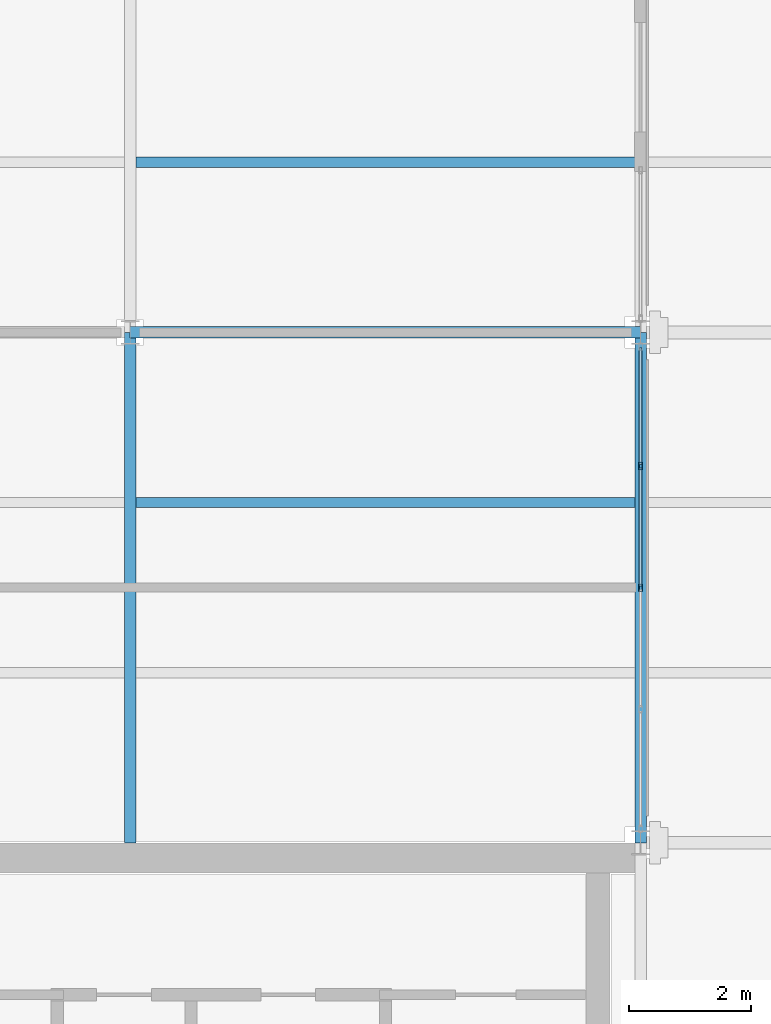
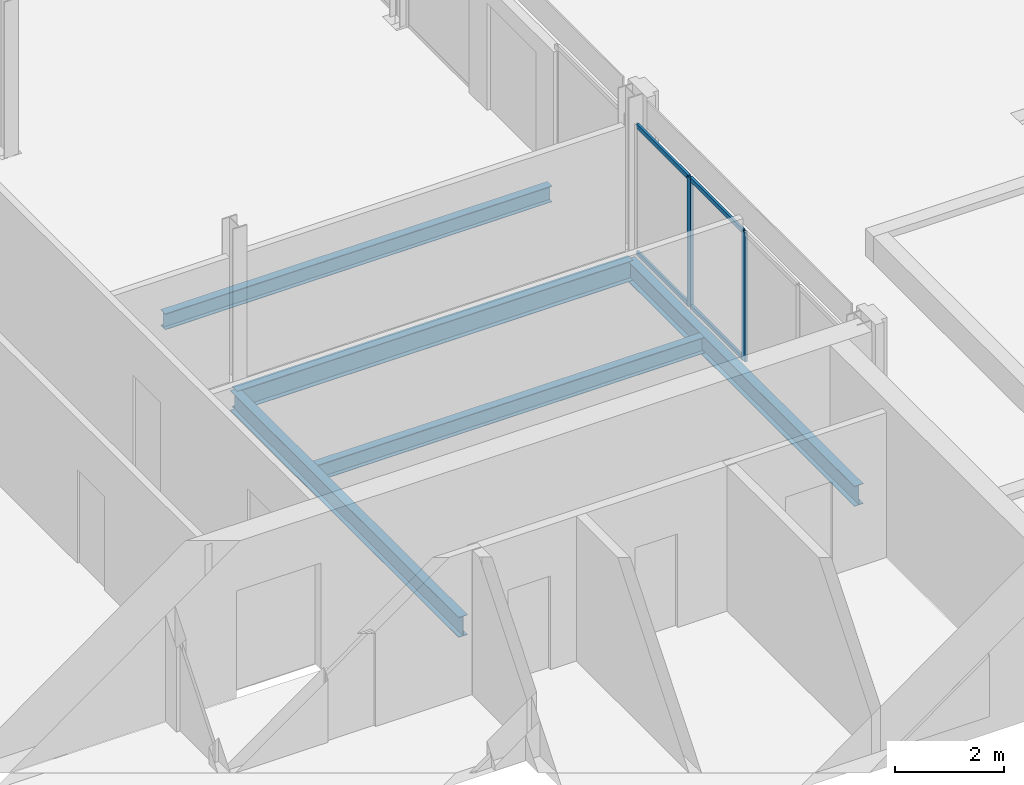
# One storey, part 9 of 32: 6 members, 5 beams, 1 element without a shape of its own.
"""IFC4 building model written with IfcOpenShell, lengths in metres."""

from ifc_helpers import new_model, si_unit, direction, frame, origin, origin_2d, place, context, subcontext, project, spatial, hollow_rectangle, i_section, extrude, material, material_profile, profile_set, type_object, element, aggregate, save


model = new_model("IFC4")

# Units and contexts
model_context = context("Model", 3, precision=1e-05, world=origin(), true_north=direction((0.0, 1.0)))
body_context = subcontext(model_context, "Body", "Model", "MODEL_VIEW")
ifc_project = project(units=[si_unit("LENGTHUNIT", "METRE"), si_unit("AREAUNIT", "SQUARE_METRE"), si_unit("VOLUMEUNIT", "CUBIC_METRE"), si_unit("PLANEANGLEUNIT", "RADIAN"), si_unit("MASSUNIT", "GRAM", prefix="KILO")], contexts=[model_context])

# Site, building, storey
site_placement = place(None, origin())
site = spatial("IfcSite", under=ifc_project, at=site_placement, CompositionType="ELEMENT")
building_placement = place(site_placement, origin())
building = spatial("IfcBuilding", under=site, at=building_placement, Name="Catenary Quay Ferry Terminal", CompositionType="ELEMENT")
storey_placement = place(building_placement, frame((0.0, 0.0, 17.10009765625)))
storey = spatial("IfcBuildingStorey", under=building, at=storey_placement, Name="L03", CompositionType="ELEMENT", Elevation=17.10009765625)

# Beams
ifc_material_1 = material(Name="Steel S355", Category="steel")
ifc_material_profile_1 = material_profile(ifc_material_1, i_section(OverallWidth=0.18994140625, OverallDepth=0.453369140625, WebThickness=0.008544921875, FlangeThickness=0.0126953125, at=origin_2d()), Name="UB 457x191x67")
ifc_profile_set_1 = profile_set([ifc_material_profile_1], Name="Steel S355")
beam_type_1 = type_object("IfcBeamType", Name="B1 UB 457x191x67", PredefinedType="BEAM", material=ifc_profile_set_1)
for number, where, z_axis, x_axis, name in (
    (1, (42.0, 176.39990234375, -0.47705078125), (1.0, 0.0, 0.0), (0.0, 1.0, 0.0), "Beam B1-003"),
    (2, (50.39990234375, 168.0, -0.47705078125), (0.0, 1.0, 0.0), (-1.0, 0.0, 0.0), "Beam B1-017"),
    (3, (42.0, 168.0, -0.47705078125), (0.0, 1.0, 0.0), (-1.0, 0.0, 0.0), "Beam B1-026"),
):
    element("IfcBeam", number, at=place(storey_placement, frame(where, z_axis=z_axis, x_axis=x_axis)), inside=storey, type_object=beam_type_1, Name=name, PredefinedType="BEAM", context=body_context, shape_type="SweptSolid", body=[
        extrude(i_section(OverallWidth=0.18994140625, OverallDepth=0.453369140625, WebThickness=0.008544921875, FlangeThickness=0.0126953125, at=origin_2d()), origin(), (0.0, 0.0, 1.0), 8.39990234375),
    ])
ifc_material_2 = material(Name="Steel S355", Category="steel")
ifc_material_profile_2 = material_profile(ifc_material_2, i_section(OverallWidth=0.169921875, OverallDepth=0.360107421875, WebThickness=0.008056640625, FlangeThickness=0.0126953125, at=origin_2d()), Name="IPE 360")
ifc_profile_set_2 = profile_set([ifc_material_profile_2], Name="Steel S355")
beam_type_2 = type_object("IfcBeamType", Name="B7 IPE 360", PredefinedType="BEAM", material=ifc_profile_set_2)
for number, where, z_axis, x_axis, name in (
    (4, (42.094970703125, 173.60009765625, -0.43017578125), (1.0, 0.0, 0.0), (0.0, 1.0, 0.0), "Beam B7-030"),
    (5, (42.094970703125, 179.199951171875, -0.43017578125), (1.0, 0.0, 0.0), (0.0, 1.0, 0.0), "Beam B7-033"),
):
    element("IfcBeam", number, at=place(storey_placement, frame(where, z_axis=z_axis, x_axis=x_axis)), inside=storey, type_object=beam_type_2, Name=name, PredefinedType="BEAM", context=body_context, shape_type="SweptSolid", body=[
        extrude(i_section(OverallWidth=0.169921875, OverallDepth=0.360107421875, WebThickness=0.008056640625, FlangeThickness=0.0126953125, at=origin_2d()), origin(), (0.0, 0.0, 1.0), 8.2099609375),
    ])

# Curtain wall, members
ifc_material_3 = material(Name="Aluminium and glass", Category="aluminium")
curtain_wall_type = type_object("IfcCurtainWallType", Name="CWW3", PredefinedType="NOTDEFINED", material=ifc_material_3)
curtain_wall_placement = place(storey_placement, origin())
curtain_wall = element("IfcCurtainWall", 6, at=curtain_wall_placement, inside=storey, type_object=curtain_wall_type, Name="Wing curtain wall CW144", PredefinedType="NOTDEFINED")
ifc_material_4 = material(Name="Aluminium", Category="aluminium")
ifc_material_profile_3 = material_profile(ifc_material_4, hollow_rectangle(XDim=0.06005859375, YDim=0.1201171875, WallThickness=0.0048828125, at=origin_2d()), Name="MU4")
ifc_profile_set_3 = profile_set([ifc_material_profile_3], Name="Aluminium")
member_type_1 = type_object("IfcMemberType", Name="MU4", PredefinedType="MULLION", material=ifc_profile_set_3)
member_1_placement = place(storey_placement, frame((50.39990234375, 172.199951171875, 0.0), z_axis=(0.0, 0.0, 1.0), x_axis=(-1.0, 0.0, 0.0)))
member_1 = element("IfcMember", 7, at=member_1_placement, type_object=member_type_1, Name="CW144 mullion 3", PredefinedType="MULLION", context=body_context, shape_type="SweptSolid", body=[
    extrude(hollow_rectangle(XDim=0.06005859375, YDim=0.1201171875, WallThickness=0.0048828125, at=origin_2d()), origin(), (0.0, 0.0, 1.0), 2.89990234375),
])
member_2_placement = place(storey_placement, frame((50.39990234375, 174.199951171875, 0.0), z_axis=(0.0, 0.0, 1.0), x_axis=(-1.0, 0.0, 0.0)))
member_2 = element("IfcMember", 8, at=member_2_placement, type_object=member_type_1, Name="CW144 mullion 4", PredefinedType="MULLION", context=body_context, shape_type="SweptSolid", body=[
    extrude(hollow_rectangle(XDim=0.06005859375, YDim=0.1201171875, WallThickness=0.0048828125, at=origin_2d()), origin(), (0.0, 0.0, 1.0), 2.89990234375),
])
ifc_material_5 = material(Name="Aluminium", Category="aluminium")
ifc_material_profile_4 = material_profile(ifc_material_5, hollow_rectangle(XDim=0.050048828125, YDim=0.10009765625, WallThickness=0.00390625, at=origin_2d()), Name="TR4")
ifc_profile_set_4 = profile_set([ifc_material_profile_4], Name="Aluminium")
member_type_2 = type_object("IfcMemberType", Name="TR4", PredefinedType="USERDEFINED", material=ifc_profile_set_4)
member_3_placement = place(storey_placement, frame((50.39990234375, 172.22998046875, 0.02490234375), z_axis=(0.0, 1.0, 0.0), x_axis=(-1.0, 0.0, 0.0)))
member_3 = element("IfcMember", 9, at=member_3_placement, type_object=member_type_2, Name="CW144 transom 3.1", ObjectType="TRANSOM", PredefinedType="USERDEFINED", context=body_context, shape_type="SweptSolid", body=[
    extrude(hollow_rectangle(XDim=0.050048828125, YDim=0.10009765625, WallThickness=0.00390625, at=origin_2d()), origin(), (0.0, 0.0, 1.0), 1.93994140625),
])
member_4_placement = place(storey_placement, frame((50.39990234375, 172.22998046875, 2.875), z_axis=(0.0, 1.0, 0.0), x_axis=(-1.0, 0.0, 0.0)))
member_4 = element("IfcMember", 10, at=member_4_placement, type_object=member_type_2, Name="CW144 transom 3.2", ObjectType="TRANSOM", PredefinedType="USERDEFINED", context=body_context, shape_type="SweptSolid", body=[
    extrude(hollow_rectangle(XDim=0.050048828125, YDim=0.10009765625, WallThickness=0.00390625, at=origin_2d()), origin(), (0.0, 0.0, 1.0), 1.93994140625),
])
member_5_placement = place(storey_placement, frame((50.39990234375, 174.22998046875, 0.02490234375), z_axis=(0.0, 1.0, 0.0), x_axis=(-1.0, 0.0, 0.0)))
member_5 = element("IfcMember", 11, at=member_5_placement, type_object=member_type_2, Name="CW144 transom 4.1", ObjectType="TRANSOM", PredefinedType="USERDEFINED", context=body_context, shape_type="SweptSolid", body=[
    extrude(hollow_rectangle(XDim=0.050048828125, YDim=0.10009765625, WallThickness=0.00390625, at=origin_2d()), origin(), (0.0, 0.0, 1.0), 1.909912109375),
])
member_6_placement = place(storey_placement, frame((50.39990234375, 174.22998046875, 2.875), z_axis=(0.0, 1.0, 0.0), x_axis=(-1.0, 0.0, 0.0)))
member_6 = element("IfcMember", 12, at=member_6_placement, type_object=member_type_2, Name="CW144 transom 4.2", ObjectType="TRANSOM", PredefinedType="USERDEFINED", context=body_context, shape_type="SweptSolid", body=[
    extrude(hollow_rectangle(XDim=0.050048828125, YDim=0.10009765625, WallThickness=0.00390625, at=origin_2d()), origin(), (0.0, 0.0, 1.0), 1.909912109375),
])
aggregate(curtain_wall, [member_1, member_2, member_3, member_4, member_5, member_6])

save(model, "model.ifc")
